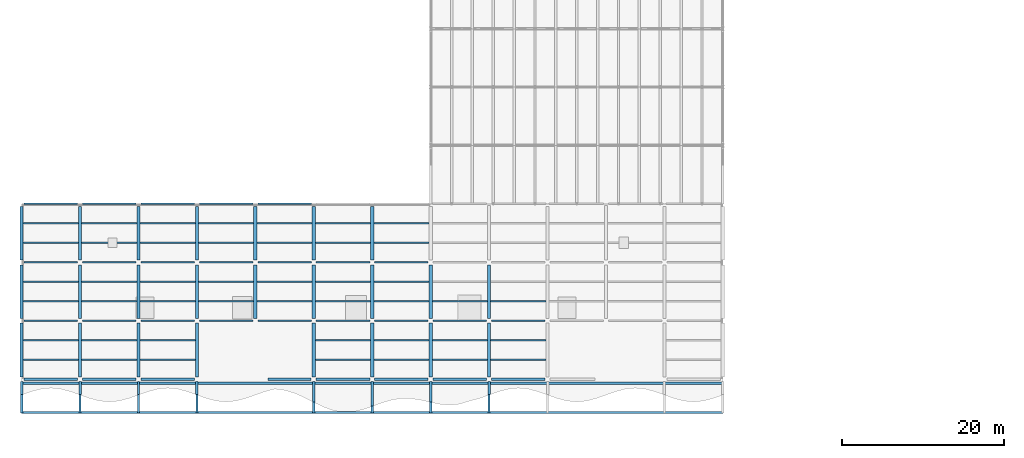
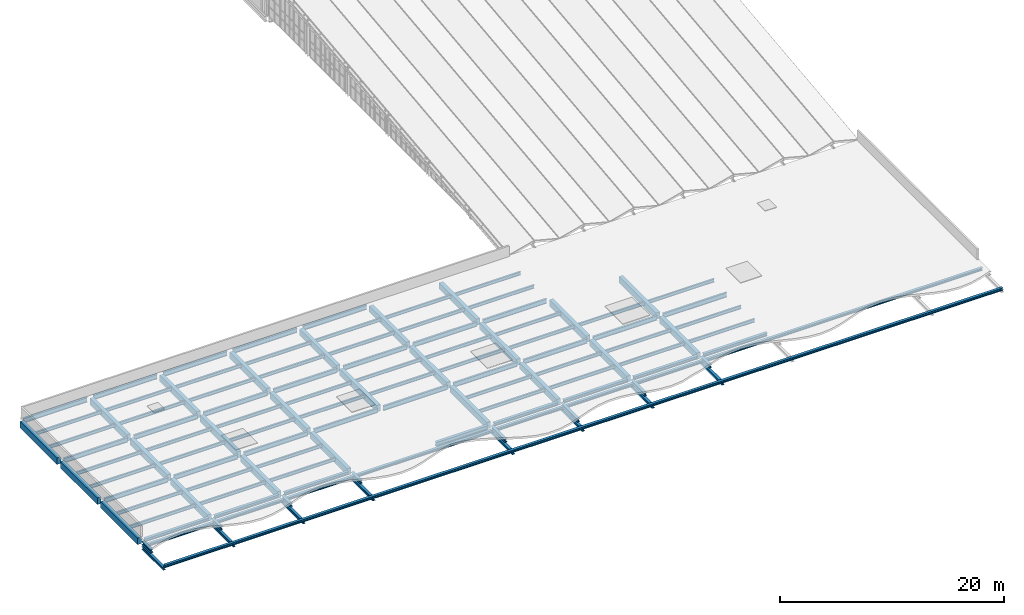
# One storey, part 6 of 48: 115 beams.
"""IFC4 building model written with IfcOpenShell, lengths in metres."""

from ifc_helpers import new_model, si_unit, direction, frame, origin, origin_2d, place, context, subcontext, project, spatial, rectangle, i_section, extrude, material, material_profile, profile_set, type_object, element, save


model = new_model("IFC4")

# Units and contexts
model_context = context("Model", 3, precision=1e-05, world=origin(), true_north=direction((0.0, 1.0)))
body_context = subcontext(model_context, "Body", "Model", "MODEL_VIEW")
ifc_project = project(units=[si_unit("LENGTHUNIT", "METRE"), si_unit("AREAUNIT", "SQUARE_METRE"), si_unit("VOLUMEUNIT", "CUBIC_METRE"), si_unit("PLANEANGLEUNIT", "RADIAN"), si_unit("MASSUNIT", "GRAM", prefix="KILO"), si_unit("THERMODYNAMICTEMPERATUREUNIT", "KELVIN"), si_unit("POWERUNIT", "WATT")], contexts=[model_context])

# Site, building, storey
site_placement = place(None, origin())
site = spatial("IfcSite", under=ifc_project, at=site_placement, CompositionType="ELEMENT")
building_placement = place(site_placement, origin())
building = spatial("IfcBuilding", under=site, at=building_placement, Name="Kaldorven Railside Theatre", CompositionType="ELEMENT")
storey_placement = place(building_placement, frame((0.0, 0.0, 18.89990234375)))
storey = spatial("IfcBuildingStorey", under=building, at=storey_placement, Name="L04", CompositionType="ELEMENT", Elevation=18.89990234375)

# Beams
ifc_material_1 = material(Name="Steel S355", Category="steel")
ifc_material_profile_1 = material_profile(ifc_material_1, i_section(OverallWidth=0.280029296875, OverallDepth=0.280029296875, WebThickness=0.010498046875, FlangeThickness=0.01806640625, at=origin_2d()), Name="HEB 280")
ifc_profile_set_1 = profile_set([ifc_material_profile_1], Name="Steel S355")
beam_type_1 = type_object("IfcBeamType", Name="BM-HEB280", PredefinedType="SPANDREL", material=ifc_profile_set_1)
for number, where, z_axis, x_axis, name in (
    (1, (36.800048828125, 15.050048828125, -0.919921875), (0.0, 1.0, 0.0), (-1.0, 0.0, 0.0), "L04 Sinusoidal Lower Cantilever Girder FOB-K040"),
    (2, (44.0, 15.050048828125, -0.919921875), (0.0, 1.0, 0.0), (-1.0, 0.0, 0.0), "L04 Sinusoidal Lower Cantilever Girder FOB-K041"),
    (3, (51.199951171875, 15.050048828125, -0.919921875), (0.0, 1.0, 0.0), (-1.0, 0.0, 0.0), "L04 Sinusoidal Lower Cantilever Girder FOB-K042"),
    (4, (58.39990234375, 15.050048828125, -0.919921875), (0.0, 1.0, 0.0), (-1.0, 0.0, 0.0), "L04 Sinusoidal Lower Cantilever Girder FOB-K043"),
    (5, (72.800048828125, 15.050048828125, -0.919921875), (0.0, 1.0, 0.0), (-1.0, 0.0, 0.0), "L04 Sinusoidal Lower Cantilever Girder FOB-K044"),
    (6, (80.0, 15.050048828125, -0.919921875), (0.0, 1.0, 0.0), (-1.0, 0.0, 0.0), "L04 Sinusoidal Lower Cantilever Girder FOB-K045"),
    (7, (87.199951171875, 15.050048828125, -0.919921875), (0.0, 1.0, 0.0), (-1.0, 0.0, 0.0), "L04 Sinusoidal Lower Cantilever Girder FOB-K046"),
    (8, (94.39990234375, 15.050048828125, -0.919921875), (0.0, 1.0, 0.0), (-1.0, 0.0, 0.0), "L04 Sinusoidal Lower Cantilever Girder FOB-K047"),
):
    element("IfcBeam", number, at=place(storey_placement, frame(where, z_axis=z_axis, x_axis=x_axis)), inside=storey, type_object=beam_type_1, Name=name, PredefinedType="SPANDREL", context=body_context, shape_type="SweptSolid", body=[
        extrude(i_section(OverallWidth=0.280029296875, OverallDepth=0.280029296875, WebThickness=0.010498046875, FlangeThickness=0.01806640625, at=origin_2d()), origin(), (0.0, 0.0, 1.0), 3.849853515625),
    ])
for number, where, z_axis, x_axis, name in (
    (9, (36.800048828125, 15.10009765625, -0.639892578125), (1.0, 0.0, 0.0), (0.0, 1.0, 0.0), "L04 Sinusoidal Out Collector Girder FOB-T051"),
    (10, (36.800048828125, 18.699951171875, -0.639892578125), (1.0, 0.0, 0.0), (0.0, 1.0, 0.0), "L04 Sinusoidal In Collector Girder FOB-T052"),
):
    element("IfcBeam", number, at=place(storey_placement, frame(where, z_axis=z_axis, x_axis=x_axis)), inside=storey, type_object=beam_type_1, Name=name, PredefinedType="SPANDREL", context=body_context, shape_type="SweptSolid", body=[
        extrude(i_section(OverallWidth=0.280029296875, OverallDepth=0.280029296875, WebThickness=0.010498046875, FlangeThickness=0.01806640625, at=origin_2d()), origin(), (0.0, 0.0, 1.0), 86.39990234375),
    ])
ifc_material_profile_2 = material_profile(ifc_material_1, i_section(OverallWidth=0.300048828125, OverallDepth=0.340087890625, WebThickness=0.011962890625, FlangeThickness=0.021484375, at=origin_2d()), Name="HEB 340")
ifc_profile_set_2 = profile_set([ifc_material_profile_2], Name="Steel S355")
beam_type_2 = type_object("IfcBeamType", Name="BM-HEB340", PredefinedType="SPANDREL", material=ifc_profile_set_2)
beam_1_placement = place(storey_placement, frame((37.10009765625, 19.199951171875, -0.389892578125), z_axis=(1.0, 0.0, 0.0), x_axis=(0.0, 1.0, 0.0)))
element("IfcBeam", 11, at=beam_1_placement, inside=storey, type_object=beam_type_2, Name="L04 Girder BGX-L04-036-019", PredefinedType="SPANDREL", context=body_context, shape_type="SweptSolid", body=[
    extrude(i_section(OverallWidth=0.300048828125, OverallDepth=0.340087890625, WebThickness=0.011962890625, FlangeThickness=0.021484375, at=origin_2d()), origin(), (0.0, 0.0, 1.0), 6.599853515625),
])
beam_2_placement = place(storey_placement, frame((36.800048828125, 17.31005859375, -0.389892578125), z_axis=(0.0, 1.0, 0.0), x_axis=(-1.0, 0.0, 0.0)))
element("IfcBeam", 12, at=beam_2_placement, inside=storey, type_object=beam_type_2, Name="L04 Sinusoidal Veil Outrigger FOB-4036", PredefinedType="SPANDREL", context=body_context, shape_type="SweptSolid", body=[
    extrude(i_section(OverallWidth=0.300048828125, OverallDepth=0.340087890625, WebThickness=0.011962890625, FlangeThickness=0.021484375, at=origin_2d()), origin(), (0.0, 0.0, 1.0), 1.58984375),
])
beam_3_placement = place(storey_placement, frame((44.300048828125, 19.199951171875, -0.389892578125), z_axis=(1.0, 0.0, 0.0), x_axis=(0.0, 1.0, 0.0)))
element("IfcBeam", 13, at=beam_3_placement, inside=storey, type_object=beam_type_2, Name="L04 Girder BGX-L04-044-019", PredefinedType="SPANDREL", context=body_context, shape_type="SweptSolid", body=[
    extrude(i_section(OverallWidth=0.300048828125, OverallDepth=0.340087890625, WebThickness=0.011962890625, FlangeThickness=0.021484375, at=origin_2d()), origin(), (0.0, 0.0, 1.0), 6.599853515625),
])
beam_4_placement = place(storey_placement, frame((44.0, 17.31005859375, -0.389892578125), z_axis=(0.0, 1.0, 0.0), x_axis=(-1.0, 0.0, 0.0)))
element("IfcBeam", 14, at=beam_4_placement, inside=storey, type_object=beam_type_2, Name="L04 Sinusoidal Veil Outrigger FOB-4044", PredefinedType="SPANDREL", context=body_context, shape_type="SweptSolid", body=[
    extrude(i_section(OverallWidth=0.300048828125, OverallDepth=0.340087890625, WebThickness=0.011962890625, FlangeThickness=0.021484375, at=origin_2d()), origin(), (0.0, 0.0, 1.0), 1.58984375),
])
beam_5_placement = place(storey_placement, frame((51.5, 19.199951171875, -0.389892578125), z_axis=(1.0, 0.0, 0.0), x_axis=(0.0, 1.0, 0.0)))
element("IfcBeam", 15, at=beam_5_placement, inside=storey, type_object=beam_type_2, Name="L04 Girder BGX-L04-051-019", PredefinedType="SPANDREL", context=body_context, shape_type="SweptSolid", body=[
    extrude(i_section(OverallWidth=0.300048828125, OverallDepth=0.340087890625, WebThickness=0.011962890625, FlangeThickness=0.021484375, at=origin_2d()), origin(), (0.0, 0.0, 1.0), 6.60009765625),
])
for number, where, z_axis, x_axis, name in (
    (16, (51.199951171875, 17.31005859375, -0.389892578125), (0.0, 1.0, 0.0), (-1.0, 0.0, 0.0), "L04 Sinusoidal Veil Outrigger FOB-4051"),
    (17, (58.39990234375, 17.31005859375, -0.389892578125), (0.0, 1.0, 0.0), (-1.0, 0.0, 0.0), "L04 Sinusoidal Veil Outrigger FOB-4058"),
):
    element("IfcBeam", number, at=place(storey_placement, frame(where, z_axis=z_axis, x_axis=x_axis)), inside=storey, type_object=beam_type_2, Name=name, PredefinedType="SPANDREL", context=body_context, shape_type="SweptSolid", body=[
        extrude(i_section(OverallWidth=0.300048828125, OverallDepth=0.340087890625, WebThickness=0.011962890625, FlangeThickness=0.021484375, at=origin_2d()), origin(), (0.0, 0.0, 1.0), 1.58984375),
    ])
beam_6_placement = place(storey_placement, frame((73.10009765625, 19.199951171875, -0.389892578125), z_axis=(1.0, 0.0, 0.0), x_axis=(0.0, 1.0, 0.0)))
element("IfcBeam", 18, at=beam_6_placement, inside=storey, type_object=beam_type_2, Name="L04 Girder BGX-L04-072-019", PredefinedType="SPANDREL", context=body_context, shape_type="SweptSolid", body=[
    extrude(i_section(OverallWidth=0.300048828125, OverallDepth=0.340087890625, WebThickness=0.011962890625, FlangeThickness=0.021484375, at=origin_2d()), origin(), (0.0, 0.0, 1.0), 6.599853515625),
])
beam_7_placement = place(storey_placement, frame((72.800048828125, 16.4072265625, -0.389892578125), z_axis=(0.0, 1.0, 0.0), x_axis=(-1.0, 0.0, 0.0)))
element("IfcBeam", 19, at=beam_7_placement, inside=storey, type_object=beam_type_2, Name="L04 Sinusoidal Veil Outrigger FOB-4072", PredefinedType="SPANDREL", context=body_context, shape_type="SweptSolid", body=[
    extrude(i_section(OverallWidth=0.300048828125, OverallDepth=0.340087890625, WebThickness=0.011962890625, FlangeThickness=0.021484375, at=origin_2d()), origin(), (0.0, 0.0, 1.0), 2.49267578125),
])
beam_8_placement = place(storey_placement, frame((80.300048828125, 19.199951171875, -0.389892578125), z_axis=(1.0, 0.0, 0.0), x_axis=(0.0, 1.0, 0.0)))
element("IfcBeam", 20, at=beam_8_placement, inside=storey, type_object=beam_type_2, Name="L04 Girder BGX-L04-080-019", PredefinedType="SPANDREL", context=body_context, shape_type="SweptSolid", body=[
    extrude(i_section(OverallWidth=0.300048828125, OverallDepth=0.340087890625, WebThickness=0.011962890625, FlangeThickness=0.021484375, at=origin_2d()), origin(), (0.0, 0.0, 1.0), 6.599853515625),
])
beam_9_placement = place(storey_placement, frame((80.0, 15.906494140625, -0.389892578125), z_axis=(0.0, 1.0, 0.0), x_axis=(-1.0, 0.0, 0.0)))
element("IfcBeam", 21, at=beam_9_placement, inside=storey, type_object=beam_type_2, Name="L04 Sinusoidal Veil Outrigger FOB-4080", PredefinedType="SPANDREL", context=body_context, shape_type="SweptSolid", body=[
    extrude(i_section(OverallWidth=0.300048828125, OverallDepth=0.340087890625, WebThickness=0.011962890625, FlangeThickness=0.021484375, at=origin_2d()), origin(), (0.0, 0.0, 1.0), 2.993408203125),
])
beam_10_placement = place(storey_placement, frame((87.5, 19.199951171875, -0.389892578125), z_axis=(1.0, 0.0, 0.0), x_axis=(0.0, 1.0, 0.0)))
element("IfcBeam", 22, at=beam_10_placement, inside=storey, type_object=beam_type_2, Name="L04 Girder BGX-L04-087-019", PredefinedType="SPANDREL", context=body_context, shape_type="SweptSolid", body=[
    extrude(i_section(OverallWidth=0.300048828125, OverallDepth=0.340087890625, WebThickness=0.011962890625, FlangeThickness=0.021484375, at=origin_2d()), origin(), (0.0, 0.0, 1.0), 6.60009765625),
])
beam_11_placement = place(storey_placement, frame((87.199951171875, 16.4072265625, -0.389892578125), z_axis=(0.0, 1.0, 0.0), x_axis=(-1.0, 0.0, 0.0)))
element("IfcBeam", 23, at=beam_11_placement, inside=storey, type_object=beam_type_2, Name="L04 Sinusoidal Veil Outrigger FOB-4087", PredefinedType="SPANDREL", context=body_context, shape_type="SweptSolid", body=[
    extrude(i_section(OverallWidth=0.300048828125, OverallDepth=0.340087890625, WebThickness=0.011962890625, FlangeThickness=0.021484375, at=origin_2d()), origin(), (0.0, 0.0, 1.0), 2.49267578125),
])
beam_12_placement = place(storey_placement, frame((94.699951171875, 19.199951171875, -0.389892578125), z_axis=(1.0, 0.0, 0.0), x_axis=(0.0, 1.0, 0.0)))
element("IfcBeam", 24, at=beam_12_placement, inside=storey, type_object=beam_type_2, Name="L04 Girder BGX-L04-094-019", PredefinedType="SPANDREL", context=body_context, shape_type="SweptSolid", body=[
    extrude(i_section(OverallWidth=0.300048828125, OverallDepth=0.340087890625, WebThickness=0.011962890625, FlangeThickness=0.021484375, at=origin_2d()), origin(), (0.0, 0.0, 1.0), 6.60009765625),
])
beam_13_placement = place(storey_placement, frame((94.39990234375, 17.31005859375, -0.389892578125), z_axis=(0.0, 1.0, 0.0), x_axis=(-1.0, 0.0, 0.0)))
element("IfcBeam", 25, at=beam_13_placement, inside=storey, type_object=beam_type_2, Name="L04 Sinusoidal Veil Outrigger FOB-4094", PredefinedType="SPANDREL", context=body_context, shape_type="SweptSolid", body=[
    extrude(i_section(OverallWidth=0.300048828125, OverallDepth=0.340087890625, WebThickness=0.011962890625, FlangeThickness=0.021484375, at=origin_2d()), origin(), (0.0, 0.0, 1.0), 1.58984375),
])
ifc_material_profile_3 = material_profile(ifc_material_1, i_section(OverallWidth=0.300048828125, OverallDepth=0.449951171875, WebThickness=0.013916015625, FlangeThickness=0.02587890625, at=origin_2d()), Name="HEB 450")
ifc_profile_set_3 = profile_set([ifc_material_profile_3], Name="Steel S355")
beam_type_3 = type_object("IfcBeamType", Name="BM-HEB450", PredefinedType="BEAM", material=ifc_profile_set_3)
beam_14_placement = place(storey_placement, frame((67.14990234375, 19.199951171875, -0.44482421875), z_axis=(1.0, 0.0, 0.0), x_axis=(0.0, 1.0, 0.0)))
element("IfcBeam", 26, at=beam_14_placement, inside=storey, type_object=beam_type_3, Name="L04 South Spandrel Girder BGX-L04-067-019", PredefinedType="BEAM", context=body_context, shape_type="SweptSolid", body=[
    extrude(i_section(OverallWidth=0.300048828125, OverallDepth=0.449951171875, WebThickness=0.013916015625, FlangeThickness=0.02587890625, at=origin_2d()), origin(), (0.0, 0.0, 1.0), 5.300048828125),
])
ifc_material_profile_4 = material_profile(ifc_material_1, i_section(OverallWidth=0.169921875, OverallDepth=0.360107421875, WebThickness=0.008056640625, FlangeThickness=0.0126953125, at=origin_2d()), Name="IPE 360")
ifc_profile_set_4 = profile_set([ifc_material_profile_4], Name="Steel S355")
beam_type_4 = type_object("IfcBeamType", Name="BM-IPE360", PredefinedType="JOIST", material=ifc_profile_set_4)
for number, where, z_axis, x_axis, name in (
    (27, (37.0, 21.60009765625, -0.39990234375), (1.0, 0.0, 0.0), (0.0, 1.0, 0.0), "L04 Secondary Floor Joist JG-L04-036-0216"),
    (28, (37.0, 24.0, -0.39990234375), (1.0, 0.0, 0.0), (0.0, 1.0, 0.0), "L04 Secondary Floor Joist JG-L04-036-0240"),
    (29, (44.199951171875, 21.60009765625, -0.39990234375), (1.0, 0.0, 0.0), (0.0, 1.0, 0.0), "L04 Secondary Floor Joist JG-L04-044-0216"),
    (30, (44.199951171875, 24.0, -0.39990234375), (1.0, 0.0, 0.0), (0.0, 1.0, 0.0), "L04 Secondary Floor Joist JG-L04-044-0240"),
    (31, (51.39990234375, 21.60009765625, -0.39990234375), (1.0, 0.0, 0.0), (0.0, 1.0, 0.0), "L04 Secondary Floor Joist JG-L04-051-0216"),
    (32, (51.39990234375, 24.0, -0.39990234375), (1.0, 0.0, 0.0), (0.0, 1.0, 0.0), "L04 Secondary Floor Joist JG-L04-051-0240"),
    (33, (73.0, 21.60009765625, -0.39990234375), (1.0, 0.0, 0.0), (0.0, 1.0, 0.0), "L04 Secondary Floor Joist JG-L04-072-0216"),
    (34, (73.0, 24.0, -0.39990234375), (1.0, 0.0, 0.0), (0.0, 1.0, 0.0), "L04 Secondary Floor Joist JG-L04-072-0240"),
    (35, (80.199951171875, 21.60009765625, -0.39990234375), (1.0, 0.0, 0.0), (0.0, 1.0, 0.0), "L04 Secondary Floor Joist JG-L04-080-0216"),
    (36, (80.199951171875, 24.0, -0.39990234375), (1.0, 0.0, 0.0), (0.0, 1.0, 0.0), "L04 Secondary Floor Joist JG-L04-080-0240"),
    (37, (87.39990234375, 21.60009765625, -0.39990234375), (1.0, 0.0, 0.0), (0.0, 1.0, 0.0), "L04 Secondary Floor Joist JG-L04-087-0216"),
    (38, (87.39990234375, 24.0, -0.39990234375), (1.0, 0.0, 0.0), (0.0, 1.0, 0.0), "L04 Secondary Floor Joist JG-L04-087-0240"),
):
    element("IfcBeam", number, at=place(storey_placement, frame(where, z_axis=z_axis, x_axis=x_axis)), inside=storey, type_object=beam_type_4, Name=name, PredefinedType="JOIST", context=body_context, shape_type="SweptSolid", body=[
        extrude(i_section(OverallWidth=0.169921875, OverallDepth=0.360107421875, WebThickness=0.008056640625, FlangeThickness=0.0126953125, at=origin_2d()), origin(), (0.0, 0.0, 1.0), 6.800048828125),
    ])
for number, where, z_axis, x_axis, name in (
    (39, (94.60009765625, 21.60009765625, -0.39990234375), (1.0, 0.0, 0.0), (0.0, 1.0, 0.0), "L04 Secondary Floor Joist JG-L04-094-0216"),
    (40, (94.60009765625, 24.0, -0.39990234375), (1.0, 0.0, 0.0), (0.0, 1.0, 0.0), "L04 Secondary Floor Joist JG-L04-094-0240"),
):
    element("IfcBeam", number, at=place(storey_placement, frame(where, z_axis=z_axis, x_axis=x_axis)), inside=storey, type_object=beam_type_4, Name=name, PredefinedType="JOIST", context=body_context, shape_type="SweptSolid", body=[
        extrude(i_section(OverallWidth=0.169921875, OverallDepth=0.360107421875, WebThickness=0.008056640625, FlangeThickness=0.0126953125, at=origin_2d()), origin(), (0.0, 0.0, 1.0), 6.7998046875),
    ])
for number, where, z_axis, x_axis, name in (
    (41, (37.0, 28.800048828125, -0.39990234375), (1.0, 0.0, 0.0), (0.0, 1.0, 0.0), "L04 Secondary Floor Joist JG-L04-036-0288"),
    (42, (37.0, 31.199951171875, -0.39990234375), (1.0, 0.0, 0.0), (0.0, 1.0, 0.0), "L04 Secondary Floor Joist JG-L04-036-0312"),
    (43, (44.199951171875, 28.800048828125, -0.39990234375), (1.0, 0.0, 0.0), (0.0, 1.0, 0.0), "L04 Secondary Floor Joist JG-L04-044-0288"),
    (44, (44.199951171875, 31.199951171875, -0.39990234375), (1.0, 0.0, 0.0), (0.0, 1.0, 0.0), "L04 Secondary Floor Joist JG-L04-044-0312"),
    (45, (51.39990234375, 28.800048828125, -0.39990234375), (1.0, 0.0, 0.0), (0.0, 1.0, 0.0), "L04 Secondary Floor Joist JG-L04-051-0288"),
    (46, (51.39990234375, 31.199951171875, -0.39990234375), (1.0, 0.0, 0.0), (0.0, 1.0, 0.0), "L04 Secondary Floor Joist JG-L04-051-0312"),
):
    element("IfcBeam", number, at=place(storey_placement, frame(where, z_axis=z_axis, x_axis=x_axis)), inside=storey, type_object=beam_type_4, Name=name, PredefinedType="JOIST", context=body_context, shape_type="SweptSolid", body=[
        extrude(i_section(OverallWidth=0.169921875, OverallDepth=0.360107421875, WebThickness=0.008056640625, FlangeThickness=0.0126953125, at=origin_2d()), origin(), (0.0, 0.0, 1.0), 6.800048828125),
    ])
for number, where, z_axis, x_axis, name in (
    (47, (58.60009765625, 28.800048828125, -0.39990234375), (1.0, 0.0, 0.0), (0.0, 1.0, 0.0), "L04 Secondary Floor Joist JG-L04-058-0288"),
    (48, (58.60009765625, 31.199951171875, -0.39990234375), (1.0, 0.0, 0.0), (0.0, 1.0, 0.0), "L04 Secondary Floor Joist JG-L04-058-0312"),
):
    element("IfcBeam", number, at=place(storey_placement, frame(where, z_axis=z_axis, x_axis=x_axis)), inside=storey, type_object=beam_type_4, Name=name, PredefinedType="JOIST", context=body_context, shape_type="SweptSolid", body=[
        extrude(i_section(OverallWidth=0.169921875, OverallDepth=0.360107421875, WebThickness=0.008056640625, FlangeThickness=0.0126953125, at=origin_2d()), origin(), (0.0, 0.0, 1.0), 6.7998046875),
    ])
for number, where, z_axis, x_axis, name in (
    (49, (65.800048828125, 28.800048828125, -0.39990234375), (1.0, 0.0, 0.0), (0.0, 1.0, 0.0), "L04 Secondary Floor Joist JG-L04-065-0288"),
    (50, (65.800048828125, 31.199951171875, -0.39990234375), (1.0, 0.0, 0.0), (0.0, 1.0, 0.0), "L04 Secondary Floor Joist JG-L04-065-0312"),
    (51, (73.0, 28.800048828125, -0.39990234375), (1.0, 0.0, 0.0), (0.0, 1.0, 0.0), "L04 Secondary Floor Joist JG-L04-072-0288"),
    (52, (73.0, 31.199951171875, -0.39990234375), (1.0, 0.0, 0.0), (0.0, 1.0, 0.0), "L04 Secondary Floor Joist JG-L04-072-0312"),
    (53, (80.199951171875, 28.800048828125, -0.39990234375), (1.0, 0.0, 0.0), (0.0, 1.0, 0.0), "L04 Secondary Floor Joist JG-L04-080-0288"),
    (54, (80.199951171875, 31.199951171875, -0.39990234375), (1.0, 0.0, 0.0), (0.0, 1.0, 0.0), "L04 Secondary Floor Joist JG-L04-080-0312"),
    (55, (87.39990234375, 28.800048828125, -0.39990234375), (1.0, 0.0, 0.0), (0.0, 1.0, 0.0), "L04 Secondary Floor Joist JG-L04-087-0288"),
):
    element("IfcBeam", number, at=place(storey_placement, frame(where, z_axis=z_axis, x_axis=x_axis)), inside=storey, type_object=beam_type_4, Name=name, PredefinedType="JOIST", context=body_context, shape_type="SweptSolid", body=[
        extrude(i_section(OverallWidth=0.169921875, OverallDepth=0.360107421875, WebThickness=0.008056640625, FlangeThickness=0.0126953125, at=origin_2d()), origin(), (0.0, 0.0, 1.0), 6.800048828125),
    ])
beam_15_placement = place(storey_placement, frame((94.60009765625, 28.800048828125, -0.39990234375), z_axis=(1.0, 0.0, 0.0), x_axis=(0.0, 1.0, 0.0)))
element("IfcBeam", 56, at=beam_15_placement, inside=storey, type_object=beam_type_4, Name="L04 Secondary Floor Joist JG-L04-094-0288", PredefinedType="JOIST", context=body_context, shape_type="SweptSolid", body=[
    extrude(i_section(OverallWidth=0.169921875, OverallDepth=0.360107421875, WebThickness=0.008056640625, FlangeThickness=0.0126953125, at=origin_2d()), origin(), (0.0, 0.0, 1.0), 6.7998046875),
])
for number, where, z_axis, x_axis, name in (
    (57, (37.0, 36.0, -0.39990234375), (1.0, 0.0, 0.0), (0.0, 1.0, 0.0), "L04 Secondary Floor Joist JG-L04-036-0360"),
    (58, (37.0, 38.39990234375, -0.39990234375), (1.0, 0.0, 0.0), (0.0, 1.0, 0.0), "L04 Secondary Floor Joist JG-L04-036-0384"),
    (59, (44.199951171875, 36.0, -0.39990234375), (1.0, 0.0, 0.0), (0.0, 1.0, 0.0), "L04 Secondary Floor Joist JG-L04-044-0360"),
    (60, (44.199951171875, 38.39990234375, -0.39990234375), (1.0, 0.0, 0.0), (0.0, 1.0, 0.0), "L04 Secondary Floor Joist JG-L04-044-0384"),
    (61, (51.39990234375, 36.0, -0.39990234375), (1.0, 0.0, 0.0), (0.0, 1.0, 0.0), "L04 Secondary Floor Joist JG-L04-051-0360"),
    (62, (51.39990234375, 38.39990234375, -0.39990234375), (1.0, 0.0, 0.0), (0.0, 1.0, 0.0), "L04 Secondary Floor Joist JG-L04-051-0384"),
):
    element("IfcBeam", number, at=place(storey_placement, frame(where, z_axis=z_axis, x_axis=x_axis)), inside=storey, type_object=beam_type_4, Name=name, PredefinedType="JOIST", context=body_context, shape_type="SweptSolid", body=[
        extrude(i_section(OverallWidth=0.169921875, OverallDepth=0.360107421875, WebThickness=0.008056640625, FlangeThickness=0.0126953125, at=origin_2d()), origin(), (0.0, 0.0, 1.0), 6.800048828125),
    ])
for number, where, z_axis, x_axis, name in (
    (63, (58.60009765625, 36.0, -0.39990234375), (1.0, 0.0, 0.0), (0.0, 1.0, 0.0), "L04 Secondary Floor Joist JG-L04-058-0360"),
    (64, (58.60009765625, 38.39990234375, -0.39990234375), (1.0, 0.0, 0.0), (0.0, 1.0, 0.0), "L04 Secondary Floor Joist JG-L04-058-0384"),
):
    element("IfcBeam", number, at=place(storey_placement, frame(where, z_axis=z_axis, x_axis=x_axis)), inside=storey, type_object=beam_type_4, Name=name, PredefinedType="JOIST", context=body_context, shape_type="SweptSolid", body=[
        extrude(i_section(OverallWidth=0.169921875, OverallDepth=0.360107421875, WebThickness=0.008056640625, FlangeThickness=0.0126953125, at=origin_2d()), origin(), (0.0, 0.0, 1.0), 6.7998046875),
    ])
for number, where, z_axis, x_axis, name in (
    (65, (65.800048828125, 36.0, -0.39990234375), (1.0, 0.0, 0.0), (0.0, 1.0, 0.0), "L04 Secondary Floor Joist JG-L04-065-0360"),
    (66, (65.800048828125, 38.39990234375, -0.39990234375), (1.0, 0.0, 0.0), (0.0, 1.0, 0.0), "L04 Secondary Floor Joist JG-L04-065-0384"),
    (67, (73.0, 36.0, -0.39990234375), (1.0, 0.0, 0.0), (0.0, 1.0, 0.0), "L04 Secondary Floor Joist JG-L04-072-0360"),
    (68, (73.0, 38.39990234375, -0.39990234375), (1.0, 0.0, 0.0), (0.0, 1.0, 0.0), "L04 Secondary Floor Joist JG-L04-072-0384"),
    (69, (80.199951171875, 36.0, -0.39990234375), (1.0, 0.0, 0.0), (0.0, 1.0, 0.0), "L04 Secondary Floor Joist JG-L04-080-0360"),
    (70, (80.199951171875, 38.39990234375, -0.39990234375), (1.0, 0.0, 0.0), (0.0, 1.0, 0.0), "L04 Secondary Floor Joist JG-L04-080-0384"),
):
    element("IfcBeam", number, at=place(storey_placement, frame(where, z_axis=z_axis, x_axis=x_axis)), inside=storey, type_object=beam_type_4, Name=name, PredefinedType="JOIST", context=body_context, shape_type="SweptSolid", body=[
        extrude(i_section(OverallWidth=0.169921875, OverallDepth=0.360107421875, WebThickness=0.008056640625, FlangeThickness=0.0126953125, at=origin_2d()), origin(), (0.0, 0.0, 1.0), 6.800048828125),
    ])
ifc_material_profile_5 = material_profile(ifc_material_1, i_section(OverallWidth=0.199951171875, OverallDepth=0.5, WebThickness=0.01025390625, FlangeThickness=0.01611328125, at=origin_2d()), Name="IPE 500")
ifc_profile_set_5 = profile_set([ifc_material_profile_5], Name="Steel S355")
beam_type_5 = type_object("IfcBeamType", Name="BM-IPE500", PredefinedType="BEAM", material=ifc_profile_set_5)
for number, where, z_axis, x_axis, name in (
    (71, (37.10009765625, 26.39990234375, -0.469970703125), (1.0, 0.0, 0.0), (0.0, 1.0, 0.0), "L04 Girder BGX-L04-036-026"),
    (72, (44.300048828125, 26.39990234375, -0.469970703125), (1.0, 0.0, 0.0), (0.0, 1.0, 0.0), "L04 Girder BGX-L04-044-026"),
):
    element("IfcBeam", number, at=place(storey_placement, frame(where, z_axis=z_axis, x_axis=x_axis)), inside=storey, type_object=beam_type_5, Name=name, PredefinedType="BEAM", context=body_context, shape_type="SweptSolid", body=[
        extrude(i_section(OverallWidth=0.199951171875, OverallDepth=0.5, WebThickness=0.01025390625, FlangeThickness=0.01611328125, at=origin_2d()), origin(), (0.0, 0.0, 1.0), 6.599853515625),
    ])
for number, where, z_axis, x_axis, name in (
    (73, (51.5, 26.39990234375, -0.469970703125), (1.0, 0.0, 0.0), (0.0, 1.0, 0.0), "L04 Girder BGX-L04-051-026"),
    (74, (58.699951171875, 26.39990234375, -0.469970703125), (1.0, 0.0, 0.0), (0.0, 1.0, 0.0), "L04 Girder BGX-L04-058-026"),
    (75, (65.89990234375, 26.39990234375, -0.469970703125), (1.0, 0.0, 0.0), (0.0, 1.0, 0.0), "L04 Girder BGX-L04-065-026"),
):
    element("IfcBeam", number, at=place(storey_placement, frame(where, z_axis=z_axis, x_axis=x_axis)), inside=storey, type_object=beam_type_5, Name=name, PredefinedType="BEAM", context=body_context, shape_type="SweptSolid", body=[
        extrude(i_section(OverallWidth=0.199951171875, OverallDepth=0.5, WebThickness=0.01025390625, FlangeThickness=0.01611328125, at=origin_2d()), origin(), (0.0, 0.0, 1.0), 6.60009765625),
    ])
for number, where, z_axis, x_axis, name in (
    (76, (73.10009765625, 26.39990234375, -0.469970703125), (1.0, 0.0, 0.0), (0.0, 1.0, 0.0), "L04 Girder BGX-L04-072-026"),
    (77, (80.300048828125, 26.39990234375, -0.469970703125), (1.0, 0.0, 0.0), (0.0, 1.0, 0.0), "L04 Girder BGX-L04-080-026"),
):
    element("IfcBeam", number, at=place(storey_placement, frame(where, z_axis=z_axis, x_axis=x_axis)), inside=storey, type_object=beam_type_5, Name=name, PredefinedType="BEAM", context=body_context, shape_type="SweptSolid", body=[
        extrude(i_section(OverallWidth=0.199951171875, OverallDepth=0.5, WebThickness=0.01025390625, FlangeThickness=0.01611328125, at=origin_2d()), origin(), (0.0, 0.0, 1.0), 6.599853515625),
    ])
for number, where, z_axis, x_axis, name in (
    (78, (87.5, 26.39990234375, -0.469970703125), (1.0, 0.0, 0.0), (0.0, 1.0, 0.0), "L04 Girder BGX-L04-087-026"),
    (79, (94.699951171875, 26.39990234375, -0.469970703125), (1.0, 0.0, 0.0), (0.0, 1.0, 0.0), "L04 Girder BGX-L04-094-026"),
):
    element("IfcBeam", number, at=place(storey_placement, frame(where, z_axis=z_axis, x_axis=x_axis)), inside=storey, type_object=beam_type_5, Name=name, PredefinedType="BEAM", context=body_context, shape_type="SweptSolid", body=[
        extrude(i_section(OverallWidth=0.199951171875, OverallDepth=0.5, WebThickness=0.01025390625, FlangeThickness=0.01611328125, at=origin_2d()), origin(), (0.0, 0.0, 1.0), 6.60009765625),
    ])
for number, where, z_axis, x_axis, name in (
    (80, (37.10009765625, 33.60009765625, -0.469970703125), (1.0, 0.0, 0.0), (0.0, 1.0, 0.0), "L04 Girder BGX-L04-036-033"),
    (81, (44.300048828125, 33.60009765625, -0.469970703125), (1.0, 0.0, 0.0), (0.0, 1.0, 0.0), "L04 Girder BGX-L04-044-033"),
):
    element("IfcBeam", number, at=place(storey_placement, frame(where, z_axis=z_axis, x_axis=x_axis)), inside=storey, type_object=beam_type_5, Name=name, PredefinedType="BEAM", context=body_context, shape_type="SweptSolid", body=[
        extrude(i_section(OverallWidth=0.199951171875, OverallDepth=0.5, WebThickness=0.01025390625, FlangeThickness=0.01611328125, at=origin_2d()), origin(), (0.0, 0.0, 1.0), 6.599853515625),
    ])
for number, where, z_axis, x_axis, name in (
    (82, (51.5, 33.60009765625, -0.469970703125), (1.0, 0.0, 0.0), (0.0, 1.0, 0.0), "L04 Girder BGX-L04-051-033"),
    (83, (58.699951171875, 33.60009765625, -0.469970703125), (1.0, 0.0, 0.0), (0.0, 1.0, 0.0), "L04 Girder BGX-L04-058-033"),
    (84, (65.89990234375, 33.60009765625, -0.469970703125), (1.0, 0.0, 0.0), (0.0, 1.0, 0.0), "L04 Girder BGX-L04-065-033"),
):
    element("IfcBeam", number, at=place(storey_placement, frame(where, z_axis=z_axis, x_axis=x_axis)), inside=storey, type_object=beam_type_5, Name=name, PredefinedType="BEAM", context=body_context, shape_type="SweptSolid", body=[
        extrude(i_section(OverallWidth=0.199951171875, OverallDepth=0.5, WebThickness=0.01025390625, FlangeThickness=0.01611328125, at=origin_2d()), origin(), (0.0, 0.0, 1.0), 6.60009765625),
    ])
for number, where, z_axis, x_axis, name in (
    (85, (73.10009765625, 33.60009765625, -0.469970703125), (1.0, 0.0, 0.0), (0.0, 1.0, 0.0), "L04 Girder BGX-L04-072-033"),
    (86, (80.300048828125, 33.60009765625, -0.469970703125), (1.0, 0.0, 0.0), (0.0, 1.0, 0.0), "L04 Girder BGX-L04-080-033"),
    (87, (37.10009765625, 40.800048828125, -0.469970703125), (1.0, 0.0, 0.0), (0.0, 1.0, 0.0), "L04 Girder BGX-L04-036-040"),
    (88, (44.300048828125, 40.800048828125, -0.469970703125), (1.0, 0.0, 0.0), (0.0, 1.0, 0.0), "L04 Girder BGX-L04-044-040"),
):
    element("IfcBeam", number, at=place(storey_placement, frame(where, z_axis=z_axis, x_axis=x_axis)), inside=storey, type_object=beam_type_5, Name=name, PredefinedType="BEAM", context=body_context, shape_type="SweptSolid", body=[
        extrude(i_section(OverallWidth=0.199951171875, OverallDepth=0.5, WebThickness=0.01025390625, FlangeThickness=0.01611328125, at=origin_2d()), origin(), (0.0, 0.0, 1.0), 6.599853515625),
    ])
for number, where, z_axis, x_axis, name in (
    (89, (51.5, 40.800048828125, -0.469970703125), (1.0, 0.0, 0.0), (0.0, 1.0, 0.0), "L04 Girder BGX-L04-051-040"),
    (90, (58.699951171875, 40.800048828125, -0.469970703125), (1.0, 0.0, 0.0), (0.0, 1.0, 0.0), "L04 Girder BGX-L04-058-040"),
    (91, (65.89990234375, 40.800048828125, -0.469970703125), (1.0, 0.0, 0.0), (0.0, 1.0, 0.0), "L04 Girder BGX-L04-065-040"),
):
    element("IfcBeam", number, at=place(storey_placement, frame(where, z_axis=z_axis, x_axis=x_axis)), inside=storey, type_object=beam_type_5, Name=name, PredefinedType="BEAM", context=body_context, shape_type="SweptSolid", body=[
        extrude(i_section(OverallWidth=0.199951171875, OverallDepth=0.5, WebThickness=0.01025390625, FlangeThickness=0.01611328125, at=origin_2d()), origin(), (0.0, 0.0, 1.0), 6.60009765625),
    ])
ifc_material_2 = material(Name="Concrete C40/50", Category="concrete")
ifc_material_profile_6 = material_profile(ifc_material_2, rectangle(XDim=0.39990234375, YDim=0.699951171875, at=origin_2d()), Name="RC 400x700")
ifc_profile_set_6 = profile_set([ifc_material_profile_6], Name="Concrete C40/50")
beam_type_6 = type_object("IfcBeamType", Name="BM-RC400x700", PredefinedType="BEAM", material=ifc_profile_set_6)
for number, where, z_axis, x_axis, name in (
    (92, (36.800048828125, 19.5, -0.56982421875), (0.0, 1.0, 0.0), (-1.0, 0.0, 0.0), "L04 Girder BGY-L04-036-019-72"),
    (93, (44.0, 19.5, -0.56982421875), (0.0, 1.0, 0.0), (-1.0, 0.0, 0.0), "L04 Girder BGY-L04-044-019-72"),
    (94, (51.199951171875, 19.5, -0.56982421875), (0.0, 1.0, 0.0), (-1.0, 0.0, 0.0), "L04 Girder BGY-L04-051-019-72"),
    (95, (58.39990234375, 19.5, -0.56982421875), (0.0, 1.0, 0.0), (-1.0, 0.0, 0.0), "L04 Girder BGY-L04-058-019-72"),
    (96, (72.800048828125, 19.5, -0.56982421875), (0.0, 1.0, 0.0), (-1.0, 0.0, 0.0), "L04 Girder BGY-L04-072-019-72"),
    (97, (80.0, 19.5, -0.56982421875), (0.0, 1.0, 0.0), (-1.0, 0.0, 0.0), "L04 Girder BGY-L04-080-019-72"),
    (98, (87.199951171875, 19.5, -0.56982421875), (0.0, 1.0, 0.0), (-1.0, 0.0, 0.0), "L04 Girder BGY-L04-087-019-72"),
    (99, (94.39990234375, 19.5, -0.56982421875), (0.0, 1.0, 0.0), (-1.0, 0.0, 0.0), "L04 Girder BGY-L04-094-019-72"),
    (100, (36.800048828125, 26.699951171875, -0.56982421875), (0.0, 1.0, 0.0), (-1.0, 0.0, 0.0), "L04 Girder BGY-L04-036-026-72"),
    (101, (44.0, 26.699951171875, -0.56982421875), (0.0, 1.0, 0.0), (-1.0, 0.0, 0.0), "L04 Girder BGY-L04-044-026-72"),
    (102, (51.199951171875, 26.699951171875, -0.56982421875), (0.0, 1.0, 0.0), (-1.0, 0.0, 0.0), "L04 Girder BGY-L04-051-026-72"),
    (103, (58.39990234375, 26.699951171875, -0.56982421875), (0.0, 1.0, 0.0), (-1.0, 0.0, 0.0), "L04 Girder BGY-L04-058-026-72"),
    (104, (65.60009765625, 26.699951171875, -0.56982421875), (0.0, 1.0, 0.0), (-1.0, 0.0, 0.0), "L04 Girder BGY-L04-065-026-72"),
    (105, (72.800048828125, 26.699951171875, -0.56982421875), (0.0, 1.0, 0.0), (-1.0, 0.0, 0.0), "L04 Girder BGY-L04-072-026-72"),
    (106, (80.0, 26.699951171875, -0.56982421875), (0.0, 1.0, 0.0), (-1.0, 0.0, 0.0), "L04 Girder BGY-L04-080-026-72"),
    (107, (87.199951171875, 26.699951171875, -0.56982421875), (0.0, 1.0, 0.0), (-1.0, 0.0, 0.0), "L04 Girder BGY-L04-087-026-72"),
    (108, (94.39990234375, 26.699951171875, -0.56982421875), (0.0, 1.0, 0.0), (-1.0, 0.0, 0.0), "L04 Girder BGY-L04-094-026-72"),
    (109, (36.800048828125, 33.89990234375, -0.56982421875), (0.0, 1.0, 0.0), (-1.0, 0.0, 0.0), "L04 Girder BGY-L04-036-033-72"),
    (110, (44.0, 33.89990234375, -0.56982421875), (0.0, 1.0, 0.0), (-1.0, 0.0, 0.0), "L04 Girder BGY-L04-044-033-72"),
    (111, (51.199951171875, 33.89990234375, -0.56982421875), (0.0, 1.0, 0.0), (-1.0, 0.0, 0.0), "L04 Girder BGY-L04-051-033-72"),
    (112, (58.39990234375, 33.89990234375, -0.56982421875), (0.0, 1.0, 0.0), (-1.0, 0.0, 0.0), "L04 Girder BGY-L04-058-033-72"),
    (113, (65.60009765625, 33.89990234375, -0.56982421875), (0.0, 1.0, 0.0), (-1.0, 0.0, 0.0), "L04 Girder BGY-L04-065-033-72"),
    (114, (72.800048828125, 33.89990234375, -0.56982421875), (0.0, 1.0, 0.0), (-1.0, 0.0, 0.0), "L04 Girder BGY-L04-072-033-72"),
    (115, (80.0, 33.89990234375, -0.56982421875), (0.0, 1.0, 0.0), (-1.0, 0.0, 0.0), "L04 Girder BGY-L04-080-033-72"),
):
    element("IfcBeam", number, at=place(storey_placement, frame(where, z_axis=z_axis, x_axis=x_axis)), inside=storey, type_object=beam_type_6, Name=name, PredefinedType="BEAM", context=body_context, shape_type="SweptSolid", body=[
        extrude(rectangle(XDim=0.39990234375, YDim=0.699951171875, at=origin_2d()), origin(), (0.0, 0.0, 1.0), 6.60009765625),
    ])

save(model, "model.ifc")
